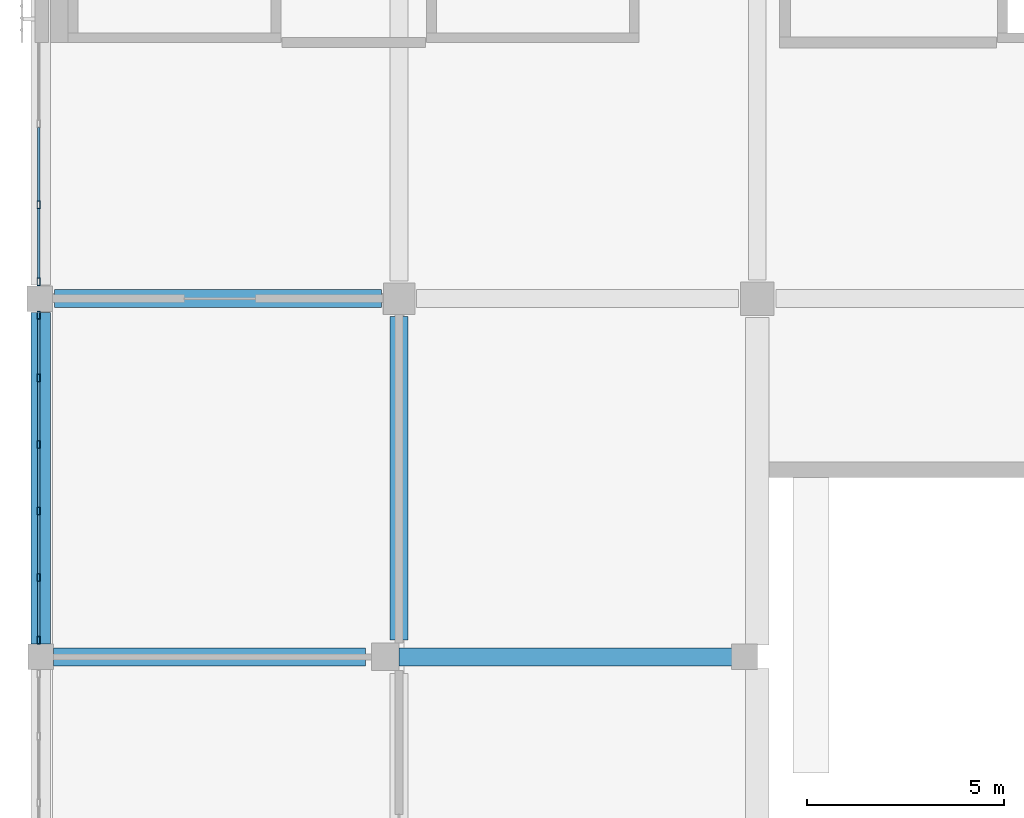
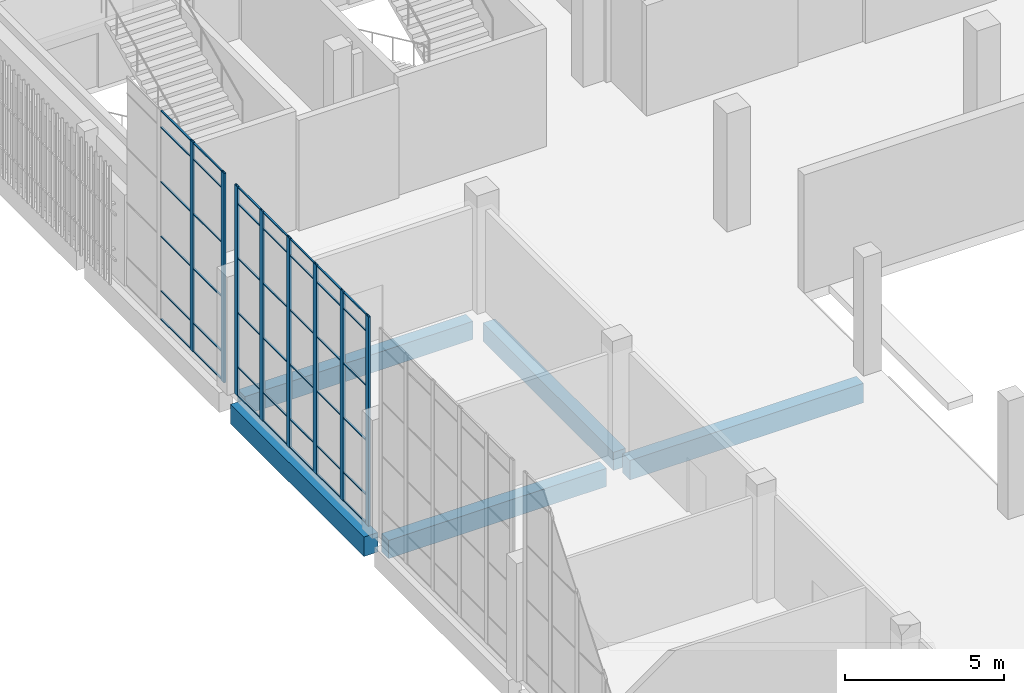
# One storey, part 25 of 126: 50 members, 5 beams, 2 elements without a shape of their own.
"""IFC4 building model written with IfcOpenShell, lengths in metres."""

from ifc_helpers import new_model, si_unit, direction, frame, origin, origin_2d, place, context, subcontext, project, spatial, rectangle, hollow_rectangle, extrude, material, layer, layer_set, material_profile, profile_set, type_object, element, aggregate, save


model = new_model("IFC4")

# Units and contexts
model_context = context("Model", 3, precision=1e-05, world=origin(), true_north=direction((0.0, 1.0)))
body_context = subcontext(model_context, "Body", "Model", "MODEL_VIEW")
ifc_project = project(units=[si_unit("LENGTHUNIT", "METRE"), si_unit("AREAUNIT", "SQUARE_METRE"), si_unit("VOLUMEUNIT", "CUBIC_METRE"), si_unit("PLANEANGLEUNIT", "RADIAN"), si_unit("MASSUNIT", "GRAM", prefix="KILO")], contexts=[model_context])

# Site, building, storey
site_placement = place(None, origin())
site = spatial("IfcSite", under=ifc_project, at=site_placement, CompositionType="ELEMENT")
building_placement = place(site_placement, origin())
building = spatial("IfcBuilding", under=site, at=building_placement, Name="Shirokan Park Arena", CompositionType="ELEMENT")
storey_placement = place(building_placement, frame((0.0, 0.0, 6.3701171875)))
storey = spatial("IfcBuildingStorey", under=building, at=storey_placement, Name="L01", CompositionType="ELEMENT", Elevation=6.3701171875)

# Curtain wall, members
ifc_material_1 = material(Name="Steel and glass curtain wall", Category="steel")
ifc_layer = layer(ifc_material_1, 0.199951171875)
ifc_layer_set = layer_set([ifc_layer], Name="Steel and glass curtain wall 200 mm")
curtain_wall_type = type_object("IfcCurtainWallType", Name="Curtain wall hall bay 200", PredefinedType="NOTDEFINED", material=ifc_layer_set)
curtain_wall_1_placement = place(storey_placement, origin())
curtain_wall_1 = element("IfcCurtainWall", 1, at=curtain_wall_1_placement, inside=storey, type_object=curtain_wall_type, Name="Curtain wall west bay 4 L01", PredefinedType="NOTDEFINED")
ifc_material_2 = material(Name="Steel S355", Category="steel")
ifc_material_profile_1 = material_profile(ifc_material_2, hollow_rectangle(XDim=0.080078125, YDim=0.199951171875, WallThickness=0.008056640625, at=origin_2d()), Name="RHS 200x80x8")
ifc_profile_set_1 = profile_set([ifc_material_profile_1], Name="Steel S355")
member_type_1 = type_object("IfcMemberType", Name="Mullion RHS 200x80x8", PredefinedType="MULLION", material=ifc_profile_set_1)
member_1_placement = place(storey_placement, frame((-0.050048828125, 75.183349609375, 0.0), z_axis=(0.0, 0.0, 1.0), x_axis=(1.0, 0.0, 0.0)))
member_1 = element("IfcMember", 2, at=member_1_placement, type_object=member_type_1, Name="CW5 mullion 3", PredefinedType="MULLION", context=body_context, shape_type="SweptSolid", body=[
    extrude(hollow_rectangle(XDim=0.080078125, YDim=0.199951171875, WallThickness=0.008056640625, at=origin_2d()), origin(), (0.0, 0.0, 1.0), 8.0498046875),
])
member_2_placement = place(storey_placement, frame((-0.050048828125, 73.22509765625, 0.0), z_axis=(0.0, 0.0, 1.0), x_axis=(1.0, 0.0, 0.0)))
member_2 = element("IfcMember", 3, at=member_2_placement, type_object=member_type_1, Name="CW5 mullion 4", PredefinedType="MULLION", context=body_context, shape_type="SweptSolid", body=[
    extrude(hollow_rectangle(XDim=0.080078125, YDim=0.199951171875, WallThickness=0.008056640625, at=origin_2d()), origin(), (0.0, 0.0, 1.0), 8.0498046875),
])

curtain_wall_2_placement = place(storey_placement, origin())
curtain_wall_2 = element("IfcCurtainWall", 4, at=curtain_wall_2_placement, inside=storey, type_object=curtain_wall_type, Name="Curtain wall west bay 5 L01", PredefinedType="NOTDEFINED")
member_3_placement = place(storey_placement, frame((-0.050048828125, 72.375, 0.0), z_axis=(0.0, 0.0, 1.0), x_axis=(1.0, 0.0, 0.0)))
member_3 = element("IfcMember", 5, at=member_3_placement, type_object=member_type_1, Name="CW5 mullion 1", PredefinedType="MULLION", context=body_context, shape_type="SweptSolid", body=[
    extrude(hollow_rectangle(XDim=0.080078125, YDim=0.199951171875, WallThickness=0.008056640625, at=origin_2d()), origin(), (0.0, 0.0, 1.0), 8.0498046875),
])
member_4_placement = place(storey_placement, frame((-0.050048828125, 70.784912109375, 0.0), z_axis=(0.0, 0.0, 1.0), x_axis=(1.0, 0.0, 0.0)))
member_4 = element("IfcMember", 6, at=member_4_placement, type_object=member_type_1, Name="CW5 mullion 2", PredefinedType="MULLION", context=body_context, shape_type="SweptSolid", body=[
    extrude(hollow_rectangle(XDim=0.080078125, YDim=0.199951171875, WallThickness=0.008056640625, at=origin_2d()), origin(), (0.0, 0.0, 1.0), 8.0498046875),
])
member_5_placement = place(storey_placement, frame((-0.050048828125, 69.094970703125, 0.0), z_axis=(0.0, 0.0, 1.0), x_axis=(1.0, 0.0, 0.0)))
member_5 = element("IfcMember", 7, at=member_5_placement, type_object=member_type_1, Name="CW5 mullion 3", PredefinedType="MULLION", context=body_context, shape_type="SweptSolid", body=[
    extrude(hollow_rectangle(XDim=0.080078125, YDim=0.199951171875, WallThickness=0.008056640625, at=origin_2d()), origin(), (0.0, 0.0, 1.0), 8.0498046875),
])
member_6_placement = place(storey_placement, frame((-0.050048828125, 67.405029296875, 0.0), z_axis=(0.0, 0.0, 1.0), x_axis=(1.0, 0.0, 0.0)))
member_6 = element("IfcMember", 8, at=member_6_placement, type_object=member_type_1, Name="CW5 mullion 4", PredefinedType="MULLION", context=body_context, shape_type="SweptSolid", body=[
    extrude(hollow_rectangle(XDim=0.080078125, YDim=0.199951171875, WallThickness=0.008056640625, at=origin_2d()), origin(), (0.0, 0.0, 1.0), 8.0498046875),
])
member_7_placement = place(storey_placement, frame((-0.050048828125, 65.715087890625, 0.0), z_axis=(0.0, 0.0, 1.0), x_axis=(1.0, 0.0, 0.0)))
member_7 = element("IfcMember", 9, at=member_7_placement, type_object=member_type_1, Name="CW5 mullion 5", PredefinedType="MULLION", context=body_context, shape_type="SweptSolid", body=[
    extrude(hollow_rectangle(XDim=0.080078125, YDim=0.199951171875, WallThickness=0.008056640625, at=origin_2d()), origin(), (0.0, 0.0, 1.0), 8.0498046875),
])
member_8_placement = place(storey_placement, frame((-0.050048828125, 64.125, 0.0), z_axis=(0.0, 0.0, 1.0), x_axis=(1.0, 0.0, 0.0)))
member_8 = element("IfcMember", 10, at=member_8_placement, type_object=member_type_1, Name="CW5 mullion 6", PredefinedType="MULLION", context=body_context, shape_type="SweptSolid", body=[
    extrude(hollow_rectangle(XDim=0.080078125, YDim=0.199951171875, WallThickness=0.008056640625, at=origin_2d()), origin(), (0.0, 0.0, 1.0), 8.0498046875),
])

# Beams
ifc_material_3 = material(Name="Concrete C35", Category="concrete")
ifc_material_profile_2 = material_profile(ifc_material_3, rectangle(XDim=0.449951171875, YDim=0.699951171875, at=origin_2d()), Name="450x700")
ifc_profile_set_2 = profile_set([ifc_material_profile_2], Name="Concrete C35")
beam_type_1 = type_object("IfcBeamType", Name="RC girder 450x700", PredefinedType="BEAM", material=ifc_profile_set_2)
beam_1_placement = place(storey_placement, frame((0.3251953125, 63.699951171875, -0.7001953125), z_axis=(1.0, 0.0, 0.0), x_axis=(0.0, 1.0, 0.0)))
element("IfcBeam", 11, at=beam_1_placement, inside=storey, type_object=beam_type_1, Name="Girder 1H-2H L01", PredefinedType="BEAM", context=body_context, shape_type="SweptSolid", body=[
    extrude(rectangle(XDim=0.449951171875, YDim=0.699951171875, at=origin_2d()), origin(), (0.0, 0.0, 1.0), 7.9248046875),
])
beam_2_placement = place(storey_placement, frame((0.35009765625, 72.800048828125, -0.7001953125), z_axis=(1.0, 0.0, 0.0), x_axis=(0.0, 1.0, 0.0)))
element("IfcBeam", 12, at=beam_2_placement, inside=storey, type_object=beam_type_1, Name="Girder 1J-2J L01", PredefinedType="BEAM", context=body_context, shape_type="SweptSolid", body=[
    extrude(rectangle(XDim=0.449951171875, YDim=0.699951171875, at=origin_2d()), origin(), (0.0, 0.0, 1.0), 8.2998046875),
])
beam_3_placement = place(storey_placement, frame((9.10009765625, 64.125, -0.7001953125), z_axis=(0.0, 1.0, 0.0), x_axis=(-1.0, 0.0, 0.0)))
element("IfcBeam", 13, at=beam_3_placement, inside=storey, type_object=beam_type_1, Name="Girder 2H-2J L01", PredefinedType="BEAM", context=body_context, shape_type="SweptSolid", body=[
    extrude(rectangle(XDim=0.449951171875, YDim=0.699951171875, at=origin_2d()), origin(), (0.0, 0.0, 1.0), 8.224853515625),
])
ifc_material_profile_3 = material_profile(ifc_material_3, rectangle(XDim=0.449951171875, YDim=0.75, at=origin_2d()), Name="450x750")
ifc_profile_set_3 = profile_set([ifc_material_profile_3], Name="Concrete C35")
beam_type_2 = type_object("IfcBeamType", Name="RC girder 450x750", PredefinedType="BEAM", material=ifc_profile_set_3)
beam_4_placement = place(storey_placement, frame((9.10009765625, 63.699951171875, -0.72509765625), z_axis=(1.0, 0.0, 0.0), x_axis=(0.0, 1.0, 0.0)))
element("IfcBeam", 14, at=beam_4_placement, inside=storey, type_object=beam_type_2, Name="Girder 2H-3H L01", PredefinedType="BEAM", context=body_context, shape_type="SweptSolid", body=[
    extrude(rectangle(XDim=0.449951171875, YDim=0.75, at=origin_2d()), origin(), (0.0, 0.0, 1.0), 8.499755859375),
])
ifc_material_profile_4 = material_profile(ifc_material_3, rectangle(XDim=0.5, YDim=0.75, at=origin_2d()), Name="500x750")
ifc_profile_set_4 = profile_set([ifc_material_profile_4], Name="Concrete C35")
beam_type_3 = type_object("IfcBeamType", Name="RC girder 500x750", PredefinedType="BEAM", material=ifc_profile_set_4)
beam_5_placement = place(storey_placement, frame((0.0, 64.025146484375, -0.72509765625), z_axis=(0.0, 1.0, 0.0), x_axis=(-1.0, 0.0, 0.0)))
element("IfcBeam", 15, at=beam_5_placement, inside=storey, type_object=beam_type_3, Name="Girder 1H-1J L01", PredefinedType="BEAM", context=body_context, shape_type="SweptSolid", body=[
    extrude(rectangle(XDim=0.5, YDim=0.75, at=origin_2d()), origin(), (0.0, 0.0, 1.0), 8.4248046875),
])

# Member
ifc_material_profile_5 = material_profile(ifc_material_2, hollow_rectangle(XDim=0.06005859375, YDim=0.0400390625, WallThickness=0.00390625, at=origin_2d()), Name="RHS 60x40x4")
ifc_profile_set_5 = profile_set([ifc_material_profile_5], Name="Steel S355")
member_type_2 = type_object("IfcMemberType", Name="Transom RHS 60x40x4", PredefinedType="MULLION", material=ifc_profile_set_5)
member_9_placement = place(storey_placement, frame((-0.050048828125, 77.1416015625, 0.019775390625), z_axis=(0.0, -1.0, 0.0), x_axis=(1.0, 0.0, 0.0)))
member_9 = element("IfcMember", 16, at=member_9_placement, type_object=member_type_2, Name="CW5 transom 2.1", PredefinedType="MULLION", context=body_context, shape_type="SweptSolid", body=[
    extrude(hollow_rectangle(XDim=0.06005859375, YDim=0.0400390625, WallThickness=0.00390625, at=origin_2d()), origin(), (0.0, 0.0, 1.0), 1.858154296875),
])

member_10_placement = place(storey_placement, frame((-0.050048828125, 77.1416015625, 1.099853515625), z_axis=(0.0, -1.0, 0.0), x_axis=(1.0, 0.0, 0.0)))
member_10 = element("IfcMember", 17, at=member_10_placement, type_object=member_type_2, Name="CW5 transom 2.2", PredefinedType="MULLION", context=body_context, shape_type="SweptSolid", body=[
    extrude(hollow_rectangle(XDim=0.06005859375, YDim=0.0400390625, WallThickness=0.00390625, at=origin_2d()), origin(), (0.0, 0.0, 1.0), 1.858154296875),
])

member_11_placement = place(storey_placement, frame((-0.050048828125, 77.1416015625, 3.199951171875), z_axis=(0.0, -1.0, 0.0), x_axis=(1.0, 0.0, 0.0)))
member_11 = element("IfcMember", 18, at=member_11_placement, type_object=member_type_2, Name="CW5 transom 2.3", PredefinedType="MULLION", context=body_context, shape_type="SweptSolid", body=[
    extrude(hollow_rectangle(XDim=0.06005859375, YDim=0.0400390625, WallThickness=0.00390625, at=origin_2d()), origin(), (0.0, 0.0, 1.0), 1.858154296875),
])

member_12_placement = place(storey_placement, frame((-0.050048828125, 77.1416015625, 5.2998046875), z_axis=(0.0, -1.0, 0.0), x_axis=(1.0, 0.0, 0.0)))
member_12 = element("IfcMember", 19, at=member_12_placement, type_object=member_type_2, Name="CW5 transom 2.4", PredefinedType="MULLION", context=body_context, shape_type="SweptSolid", body=[
    extrude(hollow_rectangle(XDim=0.06005859375, YDim=0.0400390625, WallThickness=0.00390625, at=origin_2d()), origin(), (0.0, 0.0, 1.0), 1.858154296875),
])

member_13_placement = place(storey_placement, frame((-0.050048828125, 77.1416015625, 7.39990234375), z_axis=(0.0, -1.0, 0.0), x_axis=(1.0, 0.0, 0.0)))
member_13 = element("IfcMember", 20, at=member_13_placement, type_object=member_type_2, Name="CW5 transom 2.5", PredefinedType="MULLION", context=body_context, shape_type="SweptSolid", body=[
    extrude(hollow_rectangle(XDim=0.06005859375, YDim=0.0400390625, WallThickness=0.00390625, at=origin_2d()), origin(), (0.0, 0.0, 1.0), 1.858154296875),
])

member_14_placement = place(storey_placement, frame((-0.050048828125, 77.1416015625, 8.02978515625), z_axis=(0.0, -1.0, 0.0), x_axis=(1.0, 0.0, 0.0)))
member_14 = element("IfcMember", 21, at=member_14_placement, type_object=member_type_2, Name="CW5 transom 2.6", PredefinedType="MULLION", context=body_context, shape_type="SweptSolid", body=[
    extrude(hollow_rectangle(XDim=0.06005859375, YDim=0.0400390625, WallThickness=0.00390625, at=origin_2d()), origin(), (0.0, 0.0, 1.0), 1.858154296875),
])

member_15_placement = place(storey_placement, frame((-0.050048828125, 75.083251953125, 0.019775390625), z_axis=(0.0, -1.0, 0.0), x_axis=(1.0, 0.0, 0.0)))
member_15 = element("IfcMember", 22, at=member_15_placement, type_object=member_type_2, Name="CW5 transom 3.1", PredefinedType="MULLION", context=body_context, shape_type="SweptSolid", body=[
    extrude(hollow_rectangle(XDim=0.06005859375, YDim=0.0400390625, WallThickness=0.00390625, at=origin_2d()), origin(), (0.0, 0.0, 1.0), 1.75830078125),
])

member_16_placement = place(storey_placement, frame((-0.050048828125, 75.083251953125, 1.099853515625), z_axis=(0.0, -1.0, 0.0), x_axis=(1.0, 0.0, 0.0)))
member_16 = element("IfcMember", 23, at=member_16_placement, type_object=member_type_2, Name="CW5 transom 3.2", PredefinedType="MULLION", context=body_context, shape_type="SweptSolid", body=[
    extrude(hollow_rectangle(XDim=0.06005859375, YDim=0.0400390625, WallThickness=0.00390625, at=origin_2d()), origin(), (0.0, 0.0, 1.0), 1.75830078125),
])

member_17_placement = place(storey_placement, frame((-0.050048828125, 75.083251953125, 3.199951171875), z_axis=(0.0, -1.0, 0.0), x_axis=(1.0, 0.0, 0.0)))
member_17 = element("IfcMember", 24, at=member_17_placement, type_object=member_type_2, Name="CW5 transom 3.3", PredefinedType="MULLION", context=body_context, shape_type="SweptSolid", body=[
    extrude(hollow_rectangle(XDim=0.06005859375, YDim=0.0400390625, WallThickness=0.00390625, at=origin_2d()), origin(), (0.0, 0.0, 1.0), 1.75830078125),
])

member_18_placement = place(storey_placement, frame((-0.050048828125, 75.083251953125, 5.2998046875), z_axis=(0.0, -1.0, 0.0), x_axis=(1.0, 0.0, 0.0)))
member_18 = element("IfcMember", 25, at=member_18_placement, type_object=member_type_2, Name="CW5 transom 3.4", PredefinedType="MULLION", context=body_context, shape_type="SweptSolid", body=[
    extrude(hollow_rectangle(XDim=0.06005859375, YDim=0.0400390625, WallThickness=0.00390625, at=origin_2d()), origin(), (0.0, 0.0, 1.0), 1.75830078125),
])

member_19_placement = place(storey_placement, frame((-0.050048828125, 75.083251953125, 7.39990234375), z_axis=(0.0, -1.0, 0.0), x_axis=(1.0, 0.0, 0.0)))
member_19 = element("IfcMember", 26, at=member_19_placement, type_object=member_type_2, Name="CW5 transom 3.5", PredefinedType="MULLION", context=body_context, shape_type="SweptSolid", body=[
    extrude(hollow_rectangle(XDim=0.06005859375, YDim=0.0400390625, WallThickness=0.00390625, at=origin_2d()), origin(), (0.0, 0.0, 1.0), 1.75830078125),
])

member_20_placement = place(storey_placement, frame((-0.050048828125, 75.083251953125, 8.02978515625), z_axis=(0.0, -1.0, 0.0), x_axis=(1.0, 0.0, 0.0)))
member_20 = element("IfcMember", 27, at=member_20_placement, type_object=member_type_2, Name="CW5 transom 3.6", PredefinedType="MULLION", context=body_context, shape_type="SweptSolid", body=[
    extrude(hollow_rectangle(XDim=0.06005859375, YDim=0.0400390625, WallThickness=0.00390625, at=origin_2d()), origin(), (0.0, 0.0, 1.0), 1.75830078125),
])

aggregate(curtain_wall_1, [member_1, member_2, member_9, member_10, member_11, member_12, member_13, member_14, member_15, member_16, member_17, member_18, member_19, member_20])

member_21_placement = place(storey_placement, frame((-0.050048828125, 72.27490234375, 0.019775390625), z_axis=(0.0, -1.0, 0.0), x_axis=(1.0, 0.0, 0.0)))
member_21 = element("IfcMember", 28, at=member_21_placement, type_object=member_type_2, Name="CW5 transom 1.1", PredefinedType="MULLION", context=body_context, shape_type="SweptSolid", body=[
    extrude(hollow_rectangle(XDim=0.06005859375, YDim=0.0400390625, WallThickness=0.00390625, at=origin_2d()), origin(), (0.0, 0.0, 1.0), 1.389892578125),
])

member_22_placement = place(storey_placement, frame((-0.050048828125, 72.27490234375, 1.099853515625), z_axis=(0.0, -1.0, 0.0), x_axis=(1.0, 0.0, 0.0)))
member_22 = element("IfcMember", 29, at=member_22_placement, type_object=member_type_2, Name="CW5 transom 1.2", PredefinedType="MULLION", context=body_context, shape_type="SweptSolid", body=[
    extrude(hollow_rectangle(XDim=0.06005859375, YDim=0.0400390625, WallThickness=0.00390625, at=origin_2d()), origin(), (0.0, 0.0, 1.0), 1.389892578125),
])

member_23_placement = place(storey_placement, frame((-0.050048828125, 72.27490234375, 3.199951171875), z_axis=(0.0, -1.0, 0.0), x_axis=(1.0, 0.0, 0.0)))
member_23 = element("IfcMember", 30, at=member_23_placement, type_object=member_type_2, Name="CW5 transom 1.3", PredefinedType="MULLION", context=body_context, shape_type="SweptSolid", body=[
    extrude(hollow_rectangle(XDim=0.06005859375, YDim=0.0400390625, WallThickness=0.00390625, at=origin_2d()), origin(), (0.0, 0.0, 1.0), 1.389892578125),
])

member_24_placement = place(storey_placement, frame((-0.050048828125, 72.27490234375, 5.2998046875), z_axis=(0.0, -1.0, 0.0), x_axis=(1.0, 0.0, 0.0)))
member_24 = element("IfcMember", 31, at=member_24_placement, type_object=member_type_2, Name="CW5 transom 1.4", PredefinedType="MULLION", context=body_context, shape_type="SweptSolid", body=[
    extrude(hollow_rectangle(XDim=0.06005859375, YDim=0.0400390625, WallThickness=0.00390625, at=origin_2d()), origin(), (0.0, 0.0, 1.0), 1.389892578125),
])

member_25_placement = place(storey_placement, frame((-0.050048828125, 72.27490234375, 7.39990234375), z_axis=(0.0, -1.0, 0.0), x_axis=(1.0, 0.0, 0.0)))
member_25 = element("IfcMember", 32, at=member_25_placement, type_object=member_type_2, Name="CW5 transom 1.5", PredefinedType="MULLION", context=body_context, shape_type="SweptSolid", body=[
    extrude(hollow_rectangle(XDim=0.06005859375, YDim=0.0400390625, WallThickness=0.00390625, at=origin_2d()), origin(), (0.0, 0.0, 1.0), 1.389892578125),
])

member_26_placement = place(storey_placement, frame((-0.050048828125, 72.27490234375, 8.02978515625), z_axis=(0.0, -1.0, 0.0), x_axis=(1.0, 0.0, 0.0)))
member_26 = element("IfcMember", 33, at=member_26_placement, type_object=member_type_2, Name="CW5 transom 1.6", PredefinedType="MULLION", context=body_context, shape_type="SweptSolid", body=[
    extrude(hollow_rectangle(XDim=0.06005859375, YDim=0.0400390625, WallThickness=0.00390625, at=origin_2d()), origin(), (0.0, 0.0, 1.0), 1.389892578125),
])

member_27_placement = place(storey_placement, frame((-0.050048828125, 70.68505859375, 0.019775390625), z_axis=(0.0, -1.0, 0.0), x_axis=(1.0, 0.0, 0.0)))
member_27 = element("IfcMember", 34, at=member_27_placement, type_object=member_type_2, Name="CW5 transom 2.1", PredefinedType="MULLION", context=body_context, shape_type="SweptSolid", body=[
    extrude(hollow_rectangle(XDim=0.06005859375, YDim=0.0400390625, WallThickness=0.00390625, at=origin_2d()), origin(), (0.0, 0.0, 1.0), 1.489990234375),
])

member_28_placement = place(storey_placement, frame((-0.050048828125, 70.68505859375, 1.099853515625), z_axis=(0.0, -1.0, 0.0), x_axis=(1.0, 0.0, 0.0)))
member_28 = element("IfcMember", 35, at=member_28_placement, type_object=member_type_2, Name="CW5 transom 2.2", PredefinedType="MULLION", context=body_context, shape_type="SweptSolid", body=[
    extrude(hollow_rectangle(XDim=0.06005859375, YDim=0.0400390625, WallThickness=0.00390625, at=origin_2d()), origin(), (0.0, 0.0, 1.0), 1.489990234375),
])

member_29_placement = place(storey_placement, frame((-0.050048828125, 70.68505859375, 3.199951171875), z_axis=(0.0, -1.0, 0.0), x_axis=(1.0, 0.0, 0.0)))
member_29 = element("IfcMember", 36, at=member_29_placement, type_object=member_type_2, Name="CW5 transom 2.3", PredefinedType="MULLION", context=body_context, shape_type="SweptSolid", body=[
    extrude(hollow_rectangle(XDim=0.06005859375, YDim=0.0400390625, WallThickness=0.00390625, at=origin_2d()), origin(), (0.0, 0.0, 1.0), 1.489990234375),
])

member_30_placement = place(storey_placement, frame((-0.050048828125, 70.68505859375, 5.2998046875), z_axis=(0.0, -1.0, 0.0), x_axis=(1.0, 0.0, 0.0)))
member_30 = element("IfcMember", 37, at=member_30_placement, type_object=member_type_2, Name="CW5 transom 2.4", PredefinedType="MULLION", context=body_context, shape_type="SweptSolid", body=[
    extrude(hollow_rectangle(XDim=0.06005859375, YDim=0.0400390625, WallThickness=0.00390625, at=origin_2d()), origin(), (0.0, 0.0, 1.0), 1.489990234375),
])

member_31_placement = place(storey_placement, frame((-0.050048828125, 70.68505859375, 7.39990234375), z_axis=(0.0, -1.0, 0.0), x_axis=(1.0, 0.0, 0.0)))
member_31 = element("IfcMember", 38, at=member_31_placement, type_object=member_type_2, Name="CW5 transom 2.5", PredefinedType="MULLION", context=body_context, shape_type="SweptSolid", body=[
    extrude(hollow_rectangle(XDim=0.06005859375, YDim=0.0400390625, WallThickness=0.00390625, at=origin_2d()), origin(), (0.0, 0.0, 1.0), 1.489990234375),
])

member_32_placement = place(storey_placement, frame((-0.050048828125, 70.68505859375, 8.02978515625), z_axis=(0.0, -1.0, 0.0), x_axis=(1.0, 0.0, 0.0)))
member_32 = element("IfcMember", 39, at=member_32_placement, type_object=member_type_2, Name="CW5 transom 2.6", PredefinedType="MULLION", context=body_context, shape_type="SweptSolid", body=[
    extrude(hollow_rectangle(XDim=0.06005859375, YDim=0.0400390625, WallThickness=0.00390625, at=origin_2d()), origin(), (0.0, 0.0, 1.0), 1.489990234375),
])

member_33_placement = place(storey_placement, frame((-0.050048828125, 68.9951171875, 0.019775390625), z_axis=(0.0, -1.0, 0.0), x_axis=(1.0, 0.0, 0.0)))
member_33 = element("IfcMember", 40, at=member_33_placement, type_object=member_type_2, Name="CW5 transom 3.1", PredefinedType="MULLION", context=body_context, shape_type="SweptSolid", body=[
    extrude(hollow_rectangle(XDim=0.06005859375, YDim=0.0400390625, WallThickness=0.00390625, at=origin_2d()), origin(), (0.0, 0.0, 1.0), 1.490234375),
])

member_34_placement = place(storey_placement, frame((-0.050048828125, 68.9951171875, 1.099853515625), z_axis=(0.0, -1.0, 0.0), x_axis=(1.0, 0.0, 0.0)))
member_34 = element("IfcMember", 41, at=member_34_placement, type_object=member_type_2, Name="CW5 transom 3.2", PredefinedType="MULLION", context=body_context, shape_type="SweptSolid", body=[
    extrude(hollow_rectangle(XDim=0.06005859375, YDim=0.0400390625, WallThickness=0.00390625, at=origin_2d()), origin(), (0.0, 0.0, 1.0), 1.490234375),
])

member_35_placement = place(storey_placement, frame((-0.050048828125, 68.9951171875, 3.199951171875), z_axis=(0.0, -1.0, 0.0), x_axis=(1.0, 0.0, 0.0)))
member_35 = element("IfcMember", 42, at=member_35_placement, type_object=member_type_2, Name="CW5 transom 3.3", PredefinedType="MULLION", context=body_context, shape_type="SweptSolid", body=[
    extrude(hollow_rectangle(XDim=0.06005859375, YDim=0.0400390625, WallThickness=0.00390625, at=origin_2d()), origin(), (0.0, 0.0, 1.0), 1.490234375),
])

member_36_placement = place(storey_placement, frame((-0.050048828125, 68.9951171875, 5.2998046875), z_axis=(0.0, -1.0, 0.0), x_axis=(1.0, 0.0, 0.0)))
member_36 = element("IfcMember", 43, at=member_36_placement, type_object=member_type_2, Name="CW5 transom 3.4", PredefinedType="MULLION", context=body_context, shape_type="SweptSolid", body=[
    extrude(hollow_rectangle(XDim=0.06005859375, YDim=0.0400390625, WallThickness=0.00390625, at=origin_2d()), origin(), (0.0, 0.0, 1.0), 1.490234375),
])

member_37_placement = place(storey_placement, frame((-0.050048828125, 68.9951171875, 7.39990234375), z_axis=(0.0, -1.0, 0.0), x_axis=(1.0, 0.0, 0.0)))
member_37 = element("IfcMember", 44, at=member_37_placement, type_object=member_type_2, Name="CW5 transom 3.5", PredefinedType="MULLION", context=body_context, shape_type="SweptSolid", body=[
    extrude(hollow_rectangle(XDim=0.06005859375, YDim=0.0400390625, WallThickness=0.00390625, at=origin_2d()), origin(), (0.0, 0.0, 1.0), 1.490234375),
])

member_38_placement = place(storey_placement, frame((-0.050048828125, 68.9951171875, 8.02978515625), z_axis=(0.0, -1.0, 0.0), x_axis=(1.0, 0.0, 0.0)))
member_38 = element("IfcMember", 45, at=member_38_placement, type_object=member_type_2, Name="CW5 transom 3.6", PredefinedType="MULLION", context=body_context, shape_type="SweptSolid", body=[
    extrude(hollow_rectangle(XDim=0.06005859375, YDim=0.0400390625, WallThickness=0.00390625, at=origin_2d()), origin(), (0.0, 0.0, 1.0), 1.490234375),
])

member_39_placement = place(storey_placement, frame((-0.050048828125, 67.304931640625, 0.019775390625), z_axis=(0.0, -1.0, 0.0), x_axis=(1.0, 0.0, 0.0)))
member_39 = element("IfcMember", 46, at=member_39_placement, type_object=member_type_2, Name="CW5 transom 4.1", PredefinedType="MULLION", context=body_context, shape_type="SweptSolid", body=[
    extrude(hollow_rectangle(XDim=0.06005859375, YDim=0.0400390625, WallThickness=0.00390625, at=origin_2d()), origin(), (0.0, 0.0, 1.0), 1.489990234375),
])

member_40_placement = place(storey_placement, frame((-0.050048828125, 67.304931640625, 1.099853515625), z_axis=(0.0, -1.0, 0.0), x_axis=(1.0, 0.0, 0.0)))
member_40 = element("IfcMember", 47, at=member_40_placement, type_object=member_type_2, Name="CW5 transom 4.2", PredefinedType="MULLION", context=body_context, shape_type="SweptSolid", body=[
    extrude(hollow_rectangle(XDim=0.06005859375, YDim=0.0400390625, WallThickness=0.00390625, at=origin_2d()), origin(), (0.0, 0.0, 1.0), 1.489990234375),
])

member_41_placement = place(storey_placement, frame((-0.050048828125, 67.304931640625, 3.199951171875), z_axis=(0.0, -1.0, 0.0), x_axis=(1.0, 0.0, 0.0)))
member_41 = element("IfcMember", 48, at=member_41_placement, type_object=member_type_2, Name="CW5 transom 4.3", PredefinedType="MULLION", context=body_context, shape_type="SweptSolid", body=[
    extrude(hollow_rectangle(XDim=0.06005859375, YDim=0.0400390625, WallThickness=0.00390625, at=origin_2d()), origin(), (0.0, 0.0, 1.0), 1.489990234375),
])

member_42_placement = place(storey_placement, frame((-0.050048828125, 67.304931640625, 5.2998046875), z_axis=(0.0, -1.0, 0.0), x_axis=(1.0, 0.0, 0.0)))
member_42 = element("IfcMember", 49, at=member_42_placement, type_object=member_type_2, Name="CW5 transom 4.4", PredefinedType="MULLION", context=body_context, shape_type="SweptSolid", body=[
    extrude(hollow_rectangle(XDim=0.06005859375, YDim=0.0400390625, WallThickness=0.00390625, at=origin_2d()), origin(), (0.0, 0.0, 1.0), 1.489990234375),
])

member_43_placement = place(storey_placement, frame((-0.050048828125, 67.304931640625, 7.39990234375), z_axis=(0.0, -1.0, 0.0), x_axis=(1.0, 0.0, 0.0)))
member_43 = element("IfcMember", 50, at=member_43_placement, type_object=member_type_2, Name="CW5 transom 4.5", PredefinedType="MULLION", context=body_context, shape_type="SweptSolid", body=[
    extrude(hollow_rectangle(XDim=0.06005859375, YDim=0.0400390625, WallThickness=0.00390625, at=origin_2d()), origin(), (0.0, 0.0, 1.0), 1.489990234375),
])

member_44_placement = place(storey_placement, frame((-0.050048828125, 67.304931640625, 8.02978515625), z_axis=(0.0, -1.0, 0.0), x_axis=(1.0, 0.0, 0.0)))
member_44 = element("IfcMember", 51, at=member_44_placement, type_object=member_type_2, Name="CW5 transom 4.6", PredefinedType="MULLION", context=body_context, shape_type="SweptSolid", body=[
    extrude(hollow_rectangle(XDim=0.06005859375, YDim=0.0400390625, WallThickness=0.00390625, at=origin_2d()), origin(), (0.0, 0.0, 1.0), 1.489990234375),
])

member_45_placement = place(storey_placement, frame((-0.050048828125, 65.614990234375, 0.019775390625), z_axis=(0.0, -1.0, 0.0), x_axis=(1.0, 0.0, 0.0)))
member_45 = element("IfcMember", 52, at=member_45_placement, type_object=member_type_2, Name="CW5 transom 5.1", PredefinedType="MULLION", context=body_context, shape_type="SweptSolid", body=[
    extrude(hollow_rectangle(XDim=0.06005859375, YDim=0.0400390625, WallThickness=0.00390625, at=origin_2d()), origin(), (0.0, 0.0, 1.0), 1.389892578125),
])

member_46_placement = place(storey_placement, frame((-0.050048828125, 65.614990234375, 1.099853515625), z_axis=(0.0, -1.0, 0.0), x_axis=(1.0, 0.0, 0.0)))
member_46 = element("IfcMember", 53, at=member_46_placement, type_object=member_type_2, Name="CW5 transom 5.2", PredefinedType="MULLION", context=body_context, shape_type="SweptSolid", body=[
    extrude(hollow_rectangle(XDim=0.06005859375, YDim=0.0400390625, WallThickness=0.00390625, at=origin_2d()), origin(), (0.0, 0.0, 1.0), 1.389892578125),
])

member_47_placement = place(storey_placement, frame((-0.050048828125, 65.614990234375, 3.199951171875), z_axis=(0.0, -1.0, 0.0), x_axis=(1.0, 0.0, 0.0)))
member_47 = element("IfcMember", 54, at=member_47_placement, type_object=member_type_2, Name="CW5 transom 5.3", PredefinedType="MULLION", context=body_context, shape_type="SweptSolid", body=[
    extrude(hollow_rectangle(XDim=0.06005859375, YDim=0.0400390625, WallThickness=0.00390625, at=origin_2d()), origin(), (0.0, 0.0, 1.0), 1.389892578125),
])

member_48_placement = place(storey_placement, frame((-0.050048828125, 65.614990234375, 5.2998046875), z_axis=(0.0, -1.0, 0.0), x_axis=(1.0, 0.0, 0.0)))
member_48 = element("IfcMember", 55, at=member_48_placement, type_object=member_type_2, Name="CW5 transom 5.4", PredefinedType="MULLION", context=body_context, shape_type="SweptSolid", body=[
    extrude(hollow_rectangle(XDim=0.06005859375, YDim=0.0400390625, WallThickness=0.00390625, at=origin_2d()), origin(), (0.0, 0.0, 1.0), 1.389892578125),
])

member_49_placement = place(storey_placement, frame((-0.050048828125, 65.614990234375, 7.39990234375), z_axis=(0.0, -1.0, 0.0), x_axis=(1.0, 0.0, 0.0)))
member_49 = element("IfcMember", 56, at=member_49_placement, type_object=member_type_2, Name="CW5 transom 5.5", PredefinedType="MULLION", context=body_context, shape_type="SweptSolid", body=[
    extrude(hollow_rectangle(XDim=0.06005859375, YDim=0.0400390625, WallThickness=0.00390625, at=origin_2d()), origin(), (0.0, 0.0, 1.0), 1.389892578125),
])

member_50_placement = place(storey_placement, frame((-0.050048828125, 65.614990234375, 8.02978515625), z_axis=(0.0, -1.0, 0.0), x_axis=(1.0, 0.0, 0.0)))
member_50 = element("IfcMember", 57, at=member_50_placement, type_object=member_type_2, Name="CW5 transom 5.6", PredefinedType="MULLION", context=body_context, shape_type="SweptSolid", body=[
    extrude(hollow_rectangle(XDim=0.06005859375, YDim=0.0400390625, WallThickness=0.00390625, at=origin_2d()), origin(), (0.0, 0.0, 1.0), 1.389892578125),
])

aggregate(curtain_wall_2, [member_3, member_4, member_5, member_6, member_7, member_8, member_21, member_22, member_23, member_24, member_25, member_26, member_27, member_28, member_29, member_30, member_31, member_32, member_33, member_34, member_35, member_36, member_37, member_38, member_39, member_40, member_41, member_42, member_43, member_44, member_45, member_46, member_47, member_48, member_49, member_50])

save(model, "model.ifc")
